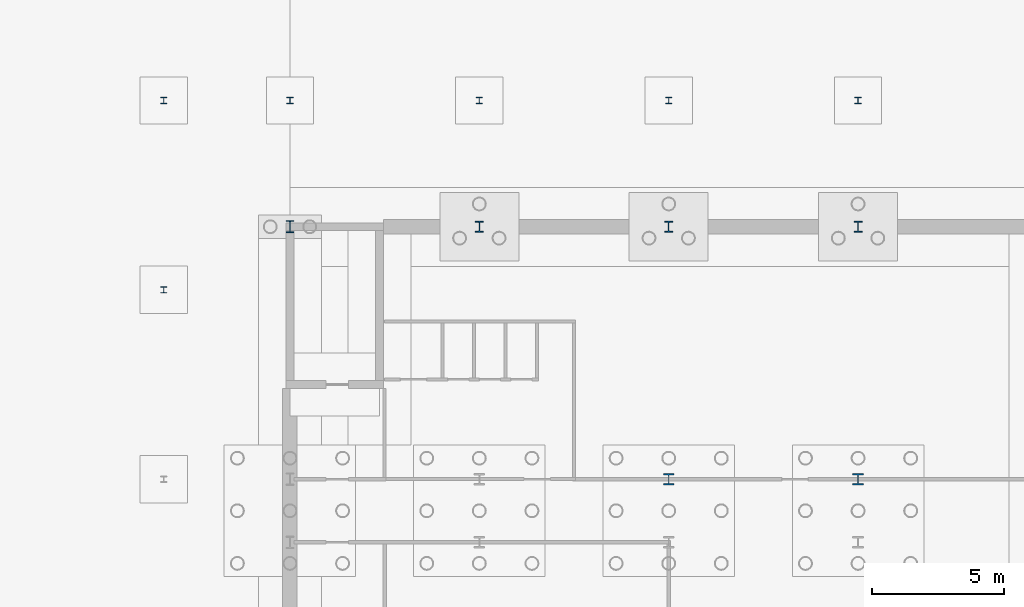
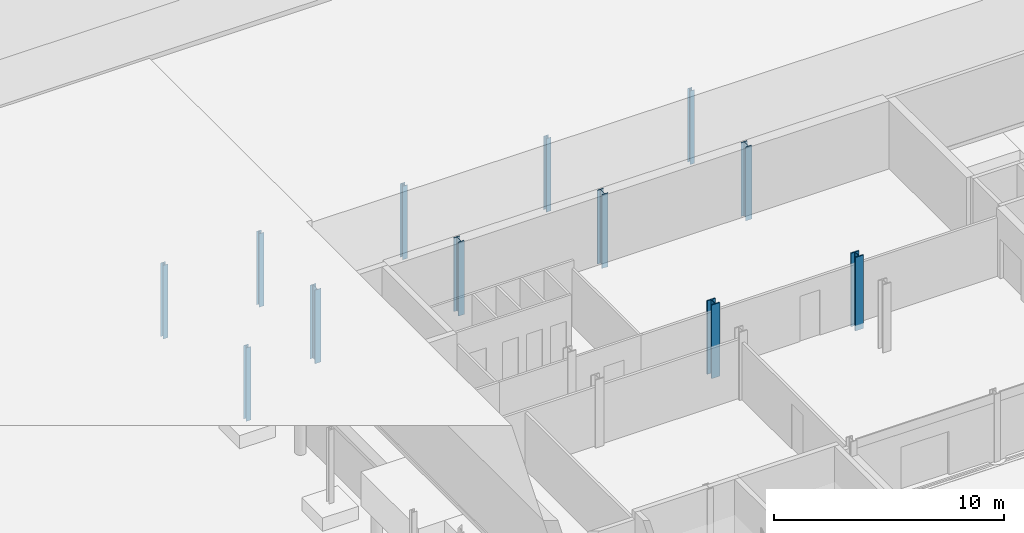
# One storey, part 59 of 148: 12 columns.
"""IFC4 building model written with IfcOpenShell, lengths in metres."""

from ifc_helpers import new_model, si_unit, direction, frame, origin, origin_2d, place, context, subcontext, project, spatial, i_section, extrude, material, material_profile, profile_set, type_object, element, save


model = new_model("IFC4")

# Units and contexts
model_context = context("Model", 3, precision=1e-05, world=origin(), true_north=direction((0.0, 1.0)))
body_context = subcontext(model_context, "Body", "Model", "MODEL_VIEW")
ifc_project = project(units=[si_unit("LENGTHUNIT", "METRE"), si_unit("AREAUNIT", "SQUARE_METRE"), si_unit("VOLUMEUNIT", "CUBIC_METRE"), si_unit("PLANEANGLEUNIT", "RADIAN"), si_unit("MASSUNIT", "GRAM", prefix="KILO")], contexts=[model_context])

# Site, building, storey
site_placement = place(None, origin())
site = spatial("IfcSite", under=ifc_project, at=site_placement, CompositionType="ELEMENT")
building_placement = place(site_placement, origin())
building = spatial("IfcBuilding", under=site, at=building_placement, Name="Kupolbacken Congress Centre", CompositionType="ELEMENT")
storey_placement = place(building_placement, origin())
storey = spatial("IfcBuildingStorey", under=building, at=storey_placement, Name="L00", CompositionType="ELEMENT", Elevation=0.0)

# Columns
ifc_material_1 = material(Name="Steel S355", Category="steel")
ifc_material_profile_1 = material_profile(ifc_material_1, i_section(OverallWidth=0.408935546875, OverallDepth=0.425048828125, WebThickness=0.03271484375, FlangeThickness=0.052490234375, FilletRadius=0.014892578125, at=origin_2d()), Name="HD 400 x 421")
ifc_profile_set_1 = profile_set([ifc_material_profile_1], Name="Steel S355")
column_type_1 = type_object("IfcColumnType", Name="C01 column HD 400 x 421", PredefinedType="COLUMN", material=ifc_profile_set_1)
for number, where, z_axis, x_axis, name in (
    (1, (79.199951171875, 134.39990234375, -0.300048828125), (0.0, 0.0, 1.0), (1.0, 0.0, 0.0), "S/col/C-T-12U+4800/L00"),
    (2, (86.39990234375, 134.39990234375, -0.300048828125), (0.0, 0.0, 1.0), (1.0, 0.0, 0.0), "S/col/C-T-13U+4800/L00"),
):
    element("IfcColumn", number, at=place(storey_placement, frame(where, z_axis=z_axis, x_axis=x_axis)), inside=storey, type_object=column_type_1, Name=name, PredefinedType="COLUMN", context=body_context, shape_type="SweptSolid", body=[
        extrude(i_section(OverallWidth=0.408935546875, OverallDepth=0.425048828125, WebThickness=0.03271484375, FlangeThickness=0.052490234375, FilletRadius=0.014892578125, at=origin_2d()), origin(), (0.0, 0.0, 1.0), 3.900146484375),
    ])
ifc_material_2 = material(Name="Steel S355", Category="steel")
ifc_material_profile_2 = material_profile(ifc_material_2, i_section(OverallWidth=0.306884765625, OverallDepth=0.431884765625, WebThickness=0.02099609375, FlangeThickness=0.0400390625, FilletRadius=0.027099609375, at=origin_2d()), Name="HEM 400")
ifc_profile_set_2 = profile_set([ifc_material_profile_2], Name="Steel S355")
column_type_2 = type_object("IfcColumnType", Name="C02 column HEM 400", PredefinedType="COLUMN", material=ifc_profile_set_2)
for number, where, z_axis, x_axis, name in (
    (3, (72.0, 144.0, -0.300048828125), (0.0, 0.0, 1.0), (1.0, 0.0, 0.0), "S/col/C-T-11W/L00"),
    (4, (79.199951171875, 144.0, -0.300048828125), (0.0, 0.0, 1.0), (1.0, 0.0, 0.0), "S/col/C-T-12W/L00"),
    (5, (86.39990234375, 144.0, -0.300048828125), (0.0, 0.0, 1.0), (1.0, 0.0, 0.0), "S/col/C-T-13W/L00"),
):
    element("IfcColumn", number, at=place(storey_placement, frame(where, z_axis=z_axis, x_axis=x_axis)), inside=storey, type_object=column_type_2, Name=name, PredefinedType="COLUMN", context=body_context, shape_type="SweptSolid", body=[
        extrude(i_section(OverallWidth=0.306884765625, OverallDepth=0.431884765625, WebThickness=0.02099609375, FlangeThickness=0.0400390625, FilletRadius=0.027099609375, at=origin_2d()), origin(), (0.0, 0.0, 1.0), 3.900146484375),
    ])
ifc_material_3 = material(Name="Steel S355", Category="steel")
ifc_material_profile_3 = material_profile(ifc_material_3, i_section(OverallWidth=0.300048828125, OverallDepth=0.449951171875, WebThickness=0.013916015625, FlangeThickness=0.02587890625, FilletRadius=0.027099609375, at=origin_2d()), Name="HEB 450")
ifc_profile_set_3 = profile_set([ifc_material_profile_3], Name="Steel S355")
column_type_3 = type_object("IfcColumnType", Name="C03 column HEB 450", PredefinedType="COLUMN", material=ifc_profile_set_3)
column_placement = place(storey_placement, frame((64.800048828125, 144.0, -0.300048828125), z_axis=(0.0, 0.0, 1.0), x_axis=(1.0, 0.0, 0.0)))
element("IfcColumn", 6, at=column_placement, inside=storey, type_object=column_type_3, Name="S/col/C-T-10W/L00", PredefinedType="COLUMN", context=body_context, shape_type="SweptSolid", body=[
    extrude(i_section(OverallWidth=0.300048828125, OverallDepth=0.449951171875, WebThickness=0.013916015625, FlangeThickness=0.02587890625, FilletRadius=0.027099609375, at=origin_2d()), origin(), (0.0, 0.0, 1.0), 3.900146484375),
])
ifc_material_4 = material(Name="Steel S355", Category="steel")
ifc_material_profile_4 = material_profile(ifc_material_4, i_section(OverallWidth=0.239990234375, OverallDepth=0.22998046875, WebThickness=0.007568359375, FlangeThickness=0.011962890625, FilletRadius=0.02099609375, at=origin_2d()), Name="HEA 240")
ifc_profile_set_4 = profile_set([ifc_material_profile_4], Name="Steel S355")
column_type_4 = type_object("IfcColumnType", Name="C10 column HEA 240", PredefinedType="COLUMN", material=ifc_profile_set_4)
for number, where, z_axis, x_axis, name in (
    (7, (60.0, 141.60009765625, -0.300048828125), (0.0, 0.0, 1.0), (1.0, 0.0, 0.0), "E/T/portico/W/col141.6/L00"),
    (8, (60.0, 148.800048828125, -0.300048828125), (0.0, 0.0, 1.0), (1.0, 0.0, 0.0), "E/T/portico/W/col148.8/L00"),
    (9, (64.800048828125, 148.800048828125, -0.300048828125), (0.0, 0.0, 1.0), (1.0, 0.0, 0.0), "E/T/portico/N/col64.8/L00"),
    (10, (72.0, 148.800048828125, -0.300048828125), (0.0, 0.0, 1.0), (1.0, 0.0, 0.0), "E/T/portico/N/col72/L00"),
    (11, (79.199951171875, 148.800048828125, -0.300048828125), (0.0, 0.0, 1.0), (1.0, 0.0, 0.0), "E/T/portico/N/col79.2/L00"),
    (12, (86.39990234375, 148.800048828125, -0.300048828125), (0.0, 0.0, 1.0), (1.0, 0.0, 0.0), "E/T/portico/N/col86.4/L00"),
):
    element("IfcColumn", number, at=place(storey_placement, frame(where, z_axis=z_axis, x_axis=x_axis)), inside=storey, type_object=column_type_4, Name=name, PredefinedType="COLUMN", context=body_context, shape_type="SweptSolid", body=[
        extrude(i_section(OverallWidth=0.239990234375, OverallDepth=0.22998046875, WebThickness=0.007568359375, FlangeThickness=0.011962890625, FilletRadius=0.02099609375, at=origin_2d()), origin(), (0.0, 0.0, 1.0), 3.900146484375),
    ])

save(model, "model.ifc")
